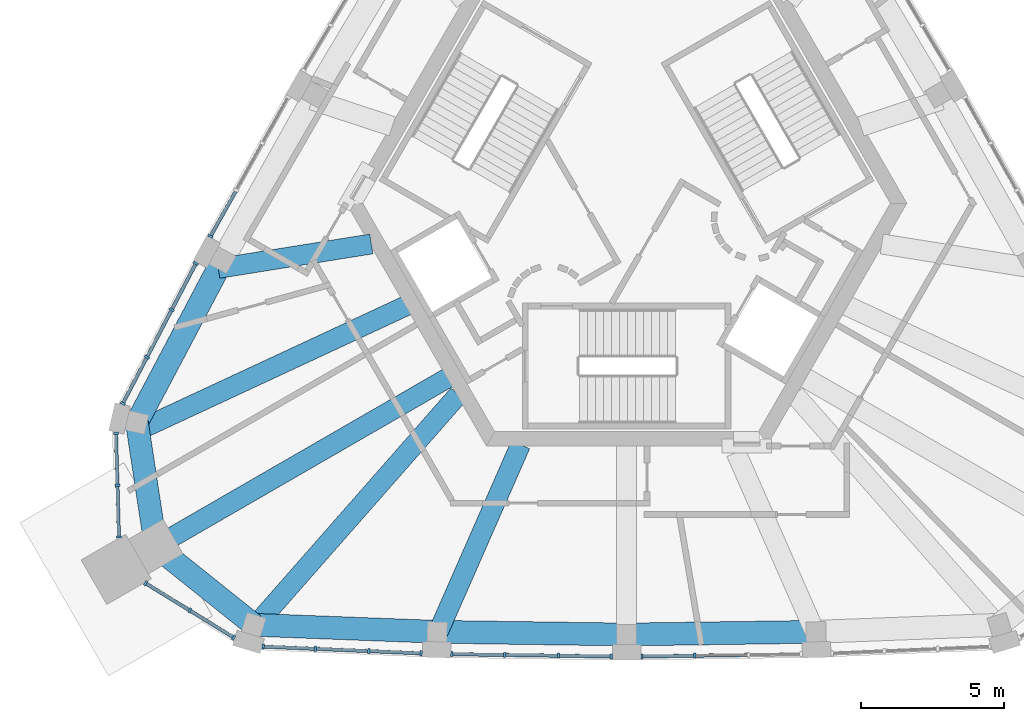
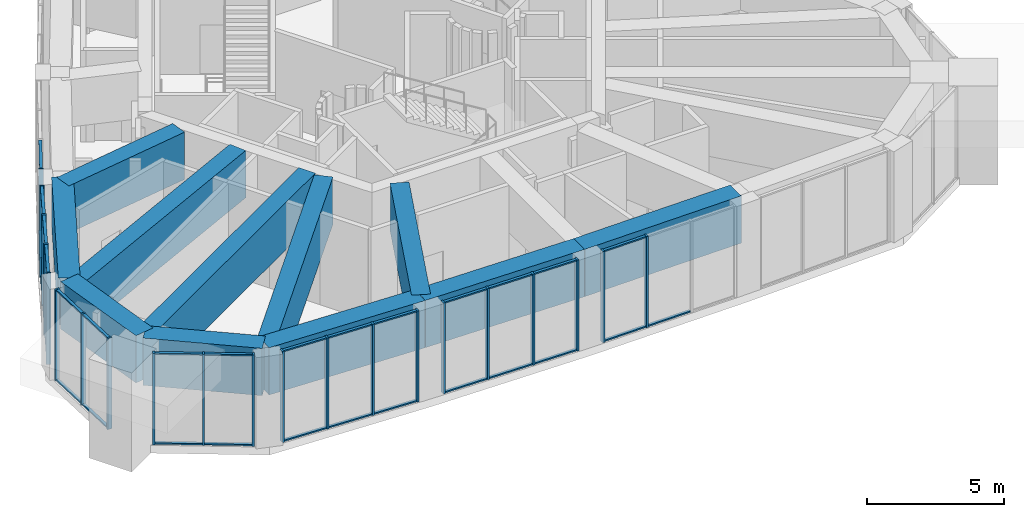
# One storey, part 2 of 11: 52 members, 11 beams, 7 elements without a shape of their own.
"""IFC4 building model written with IfcOpenShell, lengths in metres."""

from ifc_helpers import new_model, si_unit, direction, frame, origin, origin_2d, place, context, subcontext, project, spatial, rectangle, extrude, material, material_profile, profile_set, type_object, element, aggregate, save


model = new_model("IFC4")

# Units and contexts
model_context = context("Model", 3, precision=1e-05, world=origin(), true_north=direction((0.0, 1.0)))
body_context = subcontext(model_context, "Body", "Model", "MODEL_VIEW")
ifc_project = project(units=[si_unit("LENGTHUNIT", "METRE"), si_unit("AREAUNIT", "SQUARE_METRE"), si_unit("VOLUMEUNIT", "CUBIC_METRE"), si_unit("PLANEANGLEUNIT", "RADIAN"), si_unit("MASSUNIT", "GRAM", prefix="KILO")], contexts=[model_context])

# Site, building, storey
site_placement = place(None, origin())
site = spatial("IfcSite", under=ifc_project, at=site_placement, CompositionType="ELEMENT")
building_placement = place(site_placement, origin())
building = spatial("IfcBuilding", under=site, at=building_placement, Name="Entoto Arch Interchange Tower", CompositionType="ELEMENT")
storey_placement = place(building_placement, frame((0.0, 0.0, 353.89990234375)))
storey = spatial("IfcBuildingStorey", under=building, at=storey_placement, Name="L83", CompositionType="ELEMENT", Elevation=353.89990234375)

# Beams
ifc_material_1 = material(Name="Concrete C40/50", Category="concrete")
ifc_material_profile_1 = material_profile(ifc_material_1, rectangle(XDim=0.800048828125, YDim=2.10009765625, at=origin_2d()))
ifc_profile_set_1 = profile_set([ifc_material_profile_1], Name="Concrete C40/50")
beam_type_1 = type_object("IfcBeamType", Name="Crown ring girder RC 800x2100 C40/50", PredefinedType="BEAM", material=ifc_profile_set_1)
beam_1_placement = place(storey_placement, frame((-13.055908203125, -12.260986328125, 3.0), z_axis=(0.999272354884, -0.038141326198, 0.0), x_axis=(0.038141326198, 0.999272354884, 0.0)))
element("IfcBeam", 1, at=beam_1_placement, inside=storey, type_object=beam_type_1, Name="Crown ring girder 01 L83", PredefinedType="BEAM", context=body_context, shape_type="SweptSolid", body=[
    extrude(rectangle(XDim=0.800048828125, YDim=2.10009765625, at=origin_2d()), origin(), (0.0, 0.0, 1.0), 6.426513671875),
])
for number, where, z_axis, x_axis, name in (
    (2, (-6.634033203125, -12.506103515625, 3.0), (0.999899642253, -0.014167054144, 0.0), (0.014167054144, 0.999899642253, 0.0), "Crown ring girder 02 L83"),
    (3, (0.0, -12.60009765625, 3.0), (0.999899642253, 0.014167054144, 0.0), (-0.014167054144, 0.999899642253, 0.0), "Crown ring girder 03 L83"),
):
    element("IfcBeam", number, at=place(storey_placement, frame(where, z_axis=z_axis, x_axis=x_axis)), inside=storey, type_object=beam_type_1, Name=name, PredefinedType="BEAM", context=body_context, shape_type="SweptSolid", body=[
        extrude(rectangle(XDim=0.800048828125, YDim=2.10009765625, at=origin_2d()), origin(), (0.0, 0.0, 1.0), 6.634765625),
    ])
beam_2_placement = place(storey_placement, frame((-14.14892578125, 0.5048828125, 3.0), z_axis=(-0.46673302102, -0.884398262713, 0.0), x_axis=(0.884398262713, -0.46673302102, 0.0)))
element("IfcBeam", 4, at=beam_2_placement, inside=storey, type_object=beam_type_1, Name="Crown ring girder 16 L83", PredefinedType="BEAM", context=body_context, shape_type="SweptSolid", body=[
    extrude(rectangle(XDim=0.800048828125, YDim=2.10009765625, at=origin_2d()), origin(), (0.0, 0.0, 1.0), 6.423583984375),
])
beam_3_placement = place(storey_placement, frame((-17.14697265625, -5.176025390625, 3.0), z_axis=(0.150440816184, -0.988619017026, 0.0), x_axis=(0.988619017026, 0.150440816184, 0.0)))
element("IfcBeam", 5, at=beam_3_placement, inside=storey, type_object=beam_type_1, Name="Crown ring girder 17 L83", PredefinedType="BEAM", context=body_context, shape_type="SweptSolid", body=[
    extrude(rectangle(XDim=0.800048828125, YDim=2.10009765625, at=origin_2d()), origin(), (0.0, 0.0, 1.0), 4.39306640625),
])
beam_4_placement = place(storey_placement, frame((-16.486083984375, -9.51904296875, 3.0), z_axis=(0.781112826412, -0.624389904159, 0.0), x_axis=(0.624389904159, 0.781112826412, 0.0)))
element("IfcBeam", 6, at=beam_4_placement, inside=storey, type_object=beam_type_1, Name="Crown ring girder 18 L83", PredefinedType="BEAM", context=body_context, shape_type="SweptSolid", body=[
    extrude(rectangle(XDim=0.800048828125, YDim=2.10009765625, at=origin_2d()), origin(), (0.0, 0.0, 1.0), 4.391357421875),
])
ifc_material_profile_2 = material_profile(ifc_material_1, rectangle(XDim=0.699951171875, YDim=2.10009765625, at=origin_2d()))
ifc_profile_set_2 = profile_set([ifc_material_profile_2], Name="Concrete C40/50")
beam_type_2 = type_object("IfcBeamType", Name="Crown transfer beam RC 700x2100 C40/50", PredefinedType="BEAM", material=ifc_profile_set_2)
beam_5_placement = place(storey_placement, frame((-5.89111328125, -4.200927734375, 3.0), z_axis=(-0.660232030784, -0.751061692225, 0.0), x_axis=(0.751061692225, -0.660232030784, 0.0)))
element("IfcBeam", 7, at=beam_5_placement, inside=storey, type_object=beam_type_2, Name="Transfer beam S01 L83", PredefinedType="BEAM", context=body_context, shape_type="SweptSolid", body=[
    extrude(rectangle(XDim=0.699951171875, YDim=2.10009765625, at=origin_2d()), origin(), (0.0, 0.0, 1.0), 10.7353515625),
])
beam_6_placement = place(storey_placement, frame((-3.714111328125, -5.9541015625, 3.0), z_axis=(-0.402108641458, -0.915591961774, 0.0), x_axis=(0.915591961774, -0.402108641458, 0.0)))
element("IfcBeam", 8, at=beam_6_placement, inside=storey, type_object=beam_type_2, Name="Transfer beam S02 L83", PredefinedType="BEAM", context=body_context, shape_type="SweptSolid", body=[
    extrude(rectangle(XDim=0.699951171875, YDim=2.10009765625, at=origin_2d()), origin(), (0.0, 0.0, 1.0), 7.156982421875),
])
beam_7_placement = place(storey_placement, frame((-8.93798828125, 1.074951171875, 3.0), z_axis=(-0.987520764966, -0.157488852813, 0.0), x_axis=(0.157488852813, -0.987520764966, 0.0)))
element("IfcBeam", 9, at=beam_7_placement, inside=storey, type_object=beam_type_2, Name="Transfer beam NW04 L83", PredefinedType="BEAM", context=body_context, shape_type="SweptSolid", body=[
    extrude(rectangle(XDim=0.699951171875, YDim=2.10009765625, at=origin_2d()), origin(), (0.0, 0.0, 1.0), 5.4287109375),
])
beam_8_placement = place(storey_placement, frame((-7.69189453125, -1.076904296875, 3.0), z_axis=(-0.906721321021, -0.42173030008, 0.0), x_axis=(0.42173030008, -0.906721321021, 0.0)))
element("IfcBeam", 10, at=beam_8_placement, inside=storey, type_object=beam_type_2, Name="Transfer beam NW05 L83", PredefinedType="BEAM", context=body_context, shape_type="SweptSolid", body=[
    extrude(rectangle(XDim=0.699951171875, YDim=2.10009765625, at=origin_2d()), origin(), (0.0, 0.0, 1.0), 10.38134765625),
])
beam_9_placement = place(storey_placement, frame((-6.235107421875, -3.60009765625, 3.0), z_axis=(-0.866009679343, -0.500027234542, 0.0), x_axis=(0.500027234542, -0.866009679343, 0.0)))
element("IfcBeam", 11, at=beam_9_placement, inside=storey, type_object=beam_type_2, Name="Transfer beam SW1 L83", PredefinedType="BEAM", context=body_context, shape_type="SweptSolid", body=[
    extrude(rectangle(XDim=0.699951171875, YDim=2.10009765625, at=origin_2d()), origin(), (0.0, 0.0, 1.0), 11.487060546875),
])

# Curtain wall, members
ifc_material_2 = material(Name="Aluminium, anodised", Category="aluminium")
curtain_wall_type = type_object("IfcCurtainWallType", Name="CURTAIN WALL CROWN LANTERN", PredefinedType="NOTDEFINED", material=ifc_material_2)
curtain_wall_1_placement = place(storey_placement, origin())
curtain_wall_1 = element("IfcCurtainWall", 12, at=curtain_wall_1_placement, inside=storey, type_object=curtain_wall_type, Name="Crown Lantern glazing S-01 L83", PredefinedType="NOTDEFINED")
ifc_material_profile_3 = material_profile(ifc_material_2, rectangle(XDim=0.179931640625, YDim=0.080078125, at=origin_2d()))
ifc_profile_set_3 = profile_set([ifc_material_profile_3], Name="Aluminium, anodised")
member_type_1 = type_object("IfcMemberType", Name="MULLION CROWN LANTERN 80x180", PredefinedType="MULLION", material=ifc_profile_set_3)
member_1_placement = place(storey_placement, frame((-12.72705078125, -13.021728515625, 0.0), z_axis=(0.0, 0.0, 1.0), x_axis=(0.042726449388, 0.999086808302, 0.0)))
member_1 = element("IfcMember", 13, at=member_1_placement, type_object=member_type_1, Name="CWL mullion 1", PredefinedType="MULLION", context=body_context, shape_type="SweptSolid", body=[
    extrude(rectangle(XDim=0.179931640625, YDim=0.080078125, at=origin_2d()), origin(), (0.0, 0.0, 1.0), 4.050048828125),
])
member_2_placement = place(storey_placement, frame((-10.896240234375, -13.10009765625, 0.0), z_axis=(0.0, 0.0, 1.0), x_axis=(0.042726449388, 0.999086808302, 0.0)))
member_2 = element("IfcMember", 14, at=member_2_placement, type_object=member_type_1, Name="CWL mullion 2", PredefinedType="MULLION", context=body_context, shape_type="SweptSolid", body=[
    extrude(rectangle(XDim=0.179931640625, YDim=0.080078125, at=origin_2d()), origin(), (0.0, 0.0, 1.0), 4.050048828125),
])
member_3_placement = place(storey_placement, frame((-9.025634765625, -13.179931640625, 0.0), z_axis=(0.0, 0.0, 1.0), x_axis=(0.042726449388, 0.999086808302, 0.0)))
member_3 = element("IfcMember", 15, at=member_3_placement, type_object=member_type_1, Name="CWL mullion 3", PredefinedType="MULLION", context=body_context, shape_type="SweptSolid", body=[
    extrude(rectangle(XDim=0.179931640625, YDim=0.080078125, at=origin_2d()), origin(), (0.0, 0.0, 1.0), 4.050048828125),
])
member_4_placement = place(storey_placement, frame((-7.195068359375, -13.25830078125, 0.0), z_axis=(0.0, 0.0, 1.0), x_axis=(0.042726449388, 0.999086808302, 0.0)))
member_4 = element("IfcMember", 16, at=member_4_placement, type_object=member_type_1, Name="CWL mullion 4", PredefinedType="MULLION", context=body_context, shape_type="SweptSolid", body=[
    extrude(rectangle(XDim=0.179931640625, YDim=0.080078125, at=origin_2d()), origin(), (0.0, 0.0, 1.0), 4.050048828125),
])

curtain_wall_2_placement = place(storey_placement, origin())
curtain_wall_2 = element("IfcCurtainWall", 17, at=curtain_wall_2_placement, inside=storey, type_object=curtain_wall_type, Name="Crown Lantern glazing S-02 L83", PredefinedType="NOTDEFINED")
member_5_placement = place(storey_placement, frame((-6.116943359375, -13.28857421875, 0.0), z_axis=(0.0, 0.0, 1.0), x_axis=(0.014137858678, 0.999900055482, 0.0)))
member_5 = element("IfcMember", 18, at=member_5_placement, type_object=member_type_1, Name="CWL mullion 1", PredefinedType="MULLION", context=body_context, shape_type="SweptSolid", body=[
    extrude(rectangle(XDim=0.179931640625, YDim=0.080078125, at=origin_2d()), origin(), (0.0, 0.0, 1.0), 4.050048828125),
])
member_6_placement = place(storey_placement, frame((-4.27099609375, -13.314697265625, 0.0), z_axis=(0.0, 0.0, 1.0), x_axis=(0.014137858678, 0.999900055482, 0.0)))
member_6 = element("IfcMember", 19, at=member_6_placement, type_object=member_type_1, Name="CWL mullion 2", PredefinedType="MULLION", context=body_context, shape_type="SweptSolid", body=[
    extrude(rectangle(XDim=0.179931640625, YDim=0.080078125, at=origin_2d()), origin(), (0.0, 0.0, 1.0), 4.050048828125),
])
member_7_placement = place(storey_placement, frame((-2.385009765625, -13.34130859375, 0.0), z_axis=(0.0, 0.0, 1.0), x_axis=(0.014137858678, 0.999900055482, 0.0)))
member_7 = element("IfcMember", 20, at=member_7_placement, type_object=member_type_1, Name="CWL mullion 3", PredefinedType="MULLION", context=body_context, shape_type="SweptSolid", body=[
    extrude(rectangle(XDim=0.179931640625, YDim=0.080078125, at=origin_2d()), origin(), (0.0, 0.0, 1.0), 4.050048828125),
])
member_8_placement = place(storey_placement, frame((-0.5390625, -13.367431640625, 0.0), z_axis=(0.0, 0.0, 1.0), x_axis=(0.014137858678, 0.999900055482, 0.0)))
member_8 = element("IfcMember", 21, at=member_8_placement, type_object=member_type_1, Name="CWL mullion 4", PredefinedType="MULLION", context=body_context, shape_type="SweptSolid", body=[
    extrude(rectangle(XDim=0.179931640625, YDim=0.080078125, at=origin_2d()), origin(), (0.0, 0.0, 1.0), 4.050048828125),
])

curtain_wall_3_placement = place(storey_placement, origin())
curtain_wall_3 = element("IfcCurtainWall", 22, at=curtain_wall_3_placement, inside=storey, type_object=curtain_wall_type, Name="Crown Lantern glazing S-03 L83", PredefinedType="NOTDEFINED")
member_9_placement = place(storey_placement, frame((0.5390625, -13.367431640625, 0.0), z_axis=(0.0, 0.0, 1.0), x_axis=(-0.014137858678, 0.999900055482, 0.0)))
member_9 = element("IfcMember", 23, at=member_9_placement, type_object=member_type_1, Name="CWL mullion 1", PredefinedType="MULLION", context=body_context, shape_type="SweptSolid", body=[
    extrude(rectangle(XDim=0.179931640625, YDim=0.080078125, at=origin_2d()), origin(), (0.0, 0.0, 1.0), 4.050048828125),
])
member_10_placement = place(storey_placement, frame((2.385009765625, -13.34130859375, 0.0), z_axis=(0.0, 0.0, 1.0), x_axis=(-0.014137858678, 0.999900055482, 0.0)))
member_10 = element("IfcMember", 24, at=member_10_placement, type_object=member_type_1, Name="CWL mullion 2", PredefinedType="MULLION", context=body_context, shape_type="SweptSolid", body=[
    extrude(rectangle(XDim=0.179931640625, YDim=0.080078125, at=origin_2d()), origin(), (0.0, 0.0, 1.0), 4.050048828125),
])

# Curtain wall, member
curtain_wall_4_placement = place(storey_placement, origin())
curtain_wall_4 = element("IfcCurtainWall", 25, at=curtain_wall_4_placement, inside=storey, type_object=curtain_wall_type, Name="Crown Lantern glazing NW-03 L83", PredefinedType="NOTDEFINED")
member_11_placement = place(storey_placement, frame((-14.568603515625, 1.343994140625, 0.0), z_axis=(0.0, 0.0, 1.0), x_axis=(0.872963388875, -0.487785733375, 0.0)))
member_11 = element("IfcMember", 26, at=member_11_placement, type_object=member_type_1, Name="CWL mullion 4", PredefinedType="MULLION", context=body_context, shape_type="SweptSolid", body=[
    extrude(rectangle(XDim=0.179931640625, YDim=0.080078125, at=origin_2d()), origin(), (0.0, 0.0, 1.0), 4.050048828125),
])

# Curtain wall, members
curtain_wall_5_placement = place(storey_placement, origin())
curtain_wall_5 = element("IfcCurtainWall", 27, at=curtain_wall_5_placement, inside=storey, type_object=curtain_wall_type, Name="Crown Lantern glazing NW-04 L83", PredefinedType="NOTDEFINED")
member_12_placement = place(storey_placement, frame((-15.08056640625, 0.3955078125, 0.0), z_axis=(0.0, 0.0, 1.0), x_axis=(0.886489549186, -0.462748613378, 0.0)))
member_12 = element("IfcMember", 28, at=member_12_placement, type_object=member_type_1, Name="CWL mullion 1", PredefinedType="MULLION", context=body_context, shape_type="SweptSolid", body=[
    extrude(rectangle(XDim=0.179931640625, YDim=0.080078125, at=origin_2d()), origin(), (0.0, 0.0, 1.0), 4.050048828125),
])
member_13_placement = place(storey_placement, frame((-15.927978515625, -1.22802734375, 0.0), z_axis=(0.0, 0.0, 1.0), x_axis=(0.886489549186, -0.462748613378, 0.0)))
member_13 = element("IfcMember", 29, at=member_13_placement, type_object=member_type_1, Name="CWL mullion 2", PredefinedType="MULLION", context=body_context, shape_type="SweptSolid", body=[
    extrude(rectangle(XDim=0.179931640625, YDim=0.080078125, at=origin_2d()), origin(), (0.0, 0.0, 1.0), 4.050048828125),
])
member_14_placement = place(storey_placement, frame((-16.7939453125, -2.886962890625, 0.0), z_axis=(0.0, 0.0, 1.0), x_axis=(0.886489549186, -0.462748613378, 0.0)))
member_14 = element("IfcMember", 30, at=member_14_placement, type_object=member_type_1, Name="CWL mullion 3", PredefinedType="MULLION", context=body_context, shape_type="SweptSolid", body=[
    extrude(rectangle(XDim=0.179931640625, YDim=0.080078125, at=origin_2d()), origin(), (0.0, 0.0, 1.0), 4.050048828125),
])
member_15_placement = place(storey_placement, frame((-17.6416015625, -4.510498046875, 0.0), z_axis=(0.0, 0.0, 1.0), x_axis=(0.886489549186, -0.462748613378, 0.0)))
member_15 = element("IfcMember", 31, at=member_15_placement, type_object=member_type_1, Name="CWL mullion 4", PredefinedType="MULLION", context=body_context, shape_type="SweptSolid", body=[
    extrude(rectangle(XDim=0.179931640625, YDim=0.080078125, at=origin_2d()), origin(), (0.0, 0.0, 1.0), 4.050048828125),
])

curtain_wall_6_placement = place(storey_placement, origin())
curtain_wall_6 = element("IfcCurtainWall", 32, at=curtain_wall_6_placement, inside=storey, type_object=curtain_wall_type, Name="Crown Lantern glazing SW-01 L83", PredefinedType="NOTDEFINED")
member_16_placement = place(storey_placement, frame((-17.8818359375, -5.55810546875, 0.0), z_axis=(0.0, 0.0, 1.0), x_axis=(0.99959952631, 0.028298180179, 0.0)))
member_16 = element("IfcMember", 33, at=member_16_placement, type_object=member_type_1, Name="CWL mullion 1", PredefinedType="MULLION", context=body_context, shape_type="SweptSolid", body=[
    extrude(rectangle(XDim=0.179931640625, YDim=0.080078125, at=origin_2d()), origin(), (0.0, 0.0, 1.0), 4.050048828125),
])
member_17_placement = place(storey_placement, frame((-17.83056640625, -7.37255859375, 0.0), z_axis=(0.0, 0.0, 1.0), x_axis=(0.99959952631, 0.028298180179, 0.0)))
member_17 = element("IfcMember", 34, at=member_17_placement, type_object=member_type_1, Name="CWL mullion 2", PredefinedType="MULLION", context=body_context, shape_type="SweptSolid", body=[
    extrude(rectangle(XDim=0.179931640625, YDim=0.080078125, at=origin_2d()), origin(), (0.0, 0.0, 1.0), 4.050048828125),
])
member_18_placement = place(storey_placement, frame((-17.779052734375, -9.18701171875, 0.0), z_axis=(0.0, 0.0, 1.0), x_axis=(0.99959952631, 0.028298180179, 0.0)))
member_18 = element("IfcMember", 35, at=member_18_placement, type_object=member_type_1, Name="CWL mullion 3", PredefinedType="MULLION", context=body_context, shape_type="SweptSolid", body=[
    extrude(rectangle(XDim=0.179931640625, YDim=0.080078125, at=origin_2d()), origin(), (0.0, 0.0, 1.0), 4.050048828125),
])

curtain_wall_7_placement = place(storey_placement, origin())
curtain_wall_7 = element("IfcCurtainWall", 36, at=curtain_wall_7_placement, inside=storey, type_object=curtain_wall_type, Name="Crown Lantern glazing SW-02 L83", PredefinedType="NOTDEFINED")
member_19_placement = place(storey_placement, frame((-16.844970703125, -10.804931640625, 0.0), z_axis=(0.0, 0.0, 1.0), x_axis=(0.524217783401, 0.851584238679, 0.0)))
member_19 = element("IfcMember", 37, at=member_19_placement, type_object=member_type_1, Name="CWL mullion 1", PredefinedType="MULLION", context=body_context, shape_type="SweptSolid", body=[
    extrude(rectangle(XDim=0.179931640625, YDim=0.080078125, at=origin_2d()), origin(), (0.0, 0.0, 1.0), 4.050048828125),
])
member_20_placement = place(storey_placement, frame((-15.300048828125, -11.756103515625, 0.0), z_axis=(0.0, 0.0, 1.0), x_axis=(0.524217783401, 0.851584238679, 0.0)))
member_20 = element("IfcMember", 38, at=member_20_placement, type_object=member_type_1, Name="CWL mullion 2", PredefinedType="MULLION", context=body_context, shape_type="SweptSolid", body=[
    extrude(rectangle(XDim=0.179931640625, YDim=0.080078125, at=origin_2d()), origin(), (0.0, 0.0, 1.0), 4.050048828125),
])
member_21_placement = place(storey_placement, frame((-13.755126953125, -12.70703125, 0.0), z_axis=(0.0, 0.0, 1.0), x_axis=(0.524217783401, 0.851584238679, 0.0)))
member_21 = element("IfcMember", 39, at=member_21_placement, type_object=member_type_1, Name="CWL mullion 3", PredefinedType="MULLION", context=body_context, shape_type="SweptSolid", body=[
    extrude(rectangle(XDim=0.179931640625, YDim=0.080078125, at=origin_2d()), origin(), (0.0, 0.0, 1.0), 4.050048828125),
])

# Member
ifc_material_profile_4 = material_profile(ifc_material_2, rectangle(XDim=0.1201171875, YDim=0.06005859375, at=origin_2d()))
ifc_profile_set_4 = profile_set([ifc_material_profile_4], Name="Aluminium, anodised")
member_type_2 = type_object("IfcMemberType", Name="TRANSOM CROWN LANTERN 60x120", PredefinedType="USERDEFINED", material=ifc_profile_set_4)
member_22_placement = place(storey_placement, frame((-12.68701171875, -13.0234375, 0.030029296875), z_axis=(0.99908485307, -0.042772144735, 0.0), x_axis=(0.042772144735, 0.99908485307, 0.0)))
member_22 = element("IfcMember", 40, at=member_22_placement, type_object=member_type_2, Name="CWL transom 1.1", ObjectType="TRANSOM", PredefinedType="USERDEFINED", context=body_context, shape_type="SweptSolid", body=[
    extrude(rectangle(XDim=0.1201171875, YDim=0.06005859375, at=origin_2d()), origin(), (0.0, 0.0, 1.0), 1.75244140625),
])

member_23_placement = place(storey_placement, frame((-12.68701171875, -13.0234375, 4.02001953125), z_axis=(0.99908485307, -0.042772144735, 0.0), x_axis=(0.042772144735, 0.99908485307, 0.0)))
member_23 = element("IfcMember", 41, at=member_23_placement, type_object=member_type_2, Name="CWL transom 1.2", ObjectType="TRANSOM", PredefinedType="USERDEFINED", context=body_context, shape_type="SweptSolid", body=[
    extrude(rectangle(XDim=0.1201171875, YDim=0.06005859375, at=origin_2d()), origin(), (0.0, 0.0, 1.0), 1.75244140625),
])

member_24_placement = place(storey_placement, frame((-10.8564453125, -13.101806640625, 0.030029296875), z_axis=(0.999090786597, -0.042633321909, 0.0), x_axis=(0.042633321909, 0.999090786597, 0.0)))
member_24 = element("IfcMember", 42, at=member_24_placement, type_object=member_type_2, Name="CWL transom 2.1", ObjectType="TRANSOM", PredefinedType="USERDEFINED", context=body_context, shape_type="SweptSolid", body=[
    extrude(rectangle(XDim=0.1201171875, YDim=0.06005859375, at=origin_2d()), origin(), (0.0, 0.0, 1.0), 1.79248046875),
])

member_25_placement = place(storey_placement, frame((-10.8564453125, -13.101806640625, 4.02001953125), z_axis=(0.999090786597, -0.042633321909, 0.0), x_axis=(0.042633321909, 0.999090786597, 0.0)))
member_25 = element("IfcMember", 43, at=member_25_placement, type_object=member_type_2, Name="CWL transom 2.2", ObjectType="TRANSOM", PredefinedType="USERDEFINED", context=body_context, shape_type="SweptSolid", body=[
    extrude(rectangle(XDim=0.1201171875, YDim=0.06005859375, at=origin_2d()), origin(), (0.0, 0.0, 1.0), 1.79248046875),
])

member_26_placement = place(storey_placement, frame((-8.985595703125, -13.181640625, 0.030029296875), z_axis=(0.99908485307, -0.042772144735, 0.0), x_axis=(0.042772144735, 0.99908485307, 0.0)))
member_26 = element("IfcMember", 44, at=member_26_placement, type_object=member_type_2, Name="CWL transom 3.1", ObjectType="TRANSOM", PredefinedType="USERDEFINED", context=body_context, shape_type="SweptSolid", body=[
    extrude(rectangle(XDim=0.1201171875, YDim=0.06005859375, at=origin_2d()), origin(), (0.0, 0.0, 1.0), 1.75244140625),
])

member_27_placement = place(storey_placement, frame((-8.985595703125, -13.181640625, 4.02001953125), z_axis=(0.99908485307, -0.042772144735, 0.0), x_axis=(0.042772144735, 0.99908485307, 0.0)))
member_27 = element("IfcMember", 45, at=member_27_placement, type_object=member_type_2, Name="CWL transom 3.2", ObjectType="TRANSOM", PredefinedType="USERDEFINED", context=body_context, shape_type="SweptSolid", body=[
    extrude(rectangle(XDim=0.1201171875, YDim=0.06005859375, at=origin_2d()), origin(), (0.0, 0.0, 1.0), 1.75244140625),
])

aggregate(curtain_wall_1, [member_1, member_2, member_3, member_4, member_22, member_23, member_24, member_25, member_26, member_27])

member_28_placement = place(storey_placement, frame((-6.076904296875, -13.2890625, 0.030029296875), z_axis=(0.999898622523, -0.014238843926, 0.0), x_axis=(0.014238843926, 0.999898622523, 0.0)))
member_28 = element("IfcMember", 46, at=member_28_placement, type_object=member_type_2, Name="CWL transom 1.1", ObjectType="TRANSOM", PredefinedType="USERDEFINED", context=body_context, shape_type="SweptSolid", body=[
    extrude(rectangle(XDim=0.1201171875, YDim=0.06005859375, at=origin_2d()), origin(), (0.0, 0.0, 1.0), 1.76611328125),
])

member_29_placement = place(storey_placement, frame((-6.076904296875, -13.2890625, 4.02001953125), z_axis=(0.999898622523, -0.014238843926, 0.0), x_axis=(0.014238843926, 0.999898622523, 0.0)))
member_29 = element("IfcMember", 47, at=member_29_placement, type_object=member_type_2, Name="CWL transom 1.2", ObjectType="TRANSOM", PredefinedType="USERDEFINED", context=body_context, shape_type="SweptSolid", body=[
    extrude(rectangle(XDim=0.1201171875, YDim=0.06005859375, at=origin_2d()), origin(), (0.0, 0.0, 1.0), 1.76611328125),
])

member_30_placement = place(storey_placement, frame((-4.23095703125, -13.315185546875, 0.030029296875), z_axis=(0.999899267007, -0.014193513997, 0.0), x_axis=(0.014193513997, 0.999899267007, 0.0)))
member_30 = element("IfcMember", 48, at=member_30_placement, type_object=member_type_2, Name="CWL transom 2.1", ObjectType="TRANSOM", PredefinedType="USERDEFINED", context=body_context, shape_type="SweptSolid", body=[
    extrude(rectangle(XDim=0.1201171875, YDim=0.06005859375, at=origin_2d()), origin(), (0.0, 0.0, 1.0), 1.80615234375),
])

member_31_placement = place(storey_placement, frame((-4.23095703125, -13.315185546875, 4.02001953125), z_axis=(0.999899267007, -0.014193513997, 0.0), x_axis=(0.014193513997, 0.999899267007, 0.0)))
member_31 = element("IfcMember", 49, at=member_31_placement, type_object=member_type_2, Name="CWL transom 2.2", ObjectType="TRANSOM", PredefinedType="USERDEFINED", context=body_context, shape_type="SweptSolid", body=[
    extrude(rectangle(XDim=0.1201171875, YDim=0.06005859375, at=origin_2d()), origin(), (0.0, 0.0, 1.0), 1.80615234375),
])

member_32_placement = place(storey_placement, frame((-2.344970703125, -13.341796875, 0.030029296875), z_axis=(0.999898622523, -0.014238843926, 0.0), x_axis=(0.014238843926, 0.999898622523, 0.0)))
member_32 = element("IfcMember", 50, at=member_32_placement, type_object=member_type_2, Name="CWL transom 3.1", ObjectType="TRANSOM", PredefinedType="USERDEFINED", context=body_context, shape_type="SweptSolid", body=[
    extrude(rectangle(XDim=0.1201171875, YDim=0.06005859375, at=origin_2d()), origin(), (0.0, 0.0, 1.0), 1.76611328125),
])

member_33_placement = place(storey_placement, frame((-2.344970703125, -13.341796875, 4.02001953125), z_axis=(0.999898622523, -0.014238843926, 0.0), x_axis=(0.014238843926, 0.999898622523, 0.0)))
member_33 = element("IfcMember", 51, at=member_33_placement, type_object=member_type_2, Name="CWL transom 3.2", ObjectType="TRANSOM", PredefinedType="USERDEFINED", context=body_context, shape_type="SweptSolid", body=[
    extrude(rectangle(XDim=0.1201171875, YDim=0.06005859375, at=origin_2d()), origin(), (0.0, 0.0, 1.0), 1.76611328125),
])

aggregate(curtain_wall_2, [member_5, member_6, member_7, member_8, member_28, member_29, member_30, member_31, member_32, member_33])

member_34_placement = place(storey_placement, frame((0.5791015625, -13.366943359375, 0.030029296875), z_axis=(0.999898622523, 0.014238843926, 0.0), x_axis=(-0.014238843926, 0.999898622523, 0.0)))
member_34 = element("IfcMember", 52, at=member_34_placement, type_object=member_type_2, Name="CWL transom 1.1", ObjectType="TRANSOM", PredefinedType="USERDEFINED", context=body_context, shape_type="SweptSolid", body=[
    extrude(rectangle(XDim=0.1201171875, YDim=0.06005859375, at=origin_2d()), origin(), (0.0, 0.0, 1.0), 1.76611328125),
])

member_35_placement = place(storey_placement, frame((0.5791015625, -13.366943359375, 4.02001953125), z_axis=(0.999898622523, 0.014238843926, 0.0), x_axis=(-0.014238843926, 0.999898622523, 0.0)))
member_35 = element("IfcMember", 53, at=member_35_placement, type_object=member_type_2, Name="CWL transom 1.2", ObjectType="TRANSOM", PredefinedType="USERDEFINED", context=body_context, shape_type="SweptSolid", body=[
    extrude(rectangle(XDim=0.1201171875, YDim=0.06005859375, at=origin_2d()), origin(), (0.0, 0.0, 1.0), 1.76611328125),
])

member_36_placement = place(storey_placement, frame((2.425048828125, -13.3408203125, 0.030029296875), z_axis=(0.999899267007, 0.014193513997, 0.0), x_axis=(-0.014193513997, 0.999899267007, 0.0)))
member_36 = element("IfcMember", 54, at=member_36_placement, type_object=member_type_2, Name="CWL transom 2.1", ObjectType="TRANSOM", PredefinedType="USERDEFINED", context=body_context, shape_type="SweptSolid", body=[
    extrude(rectangle(XDim=0.1201171875, YDim=0.06005859375, at=origin_2d()), origin(), (0.0, 0.0, 1.0), 1.80615234375),
])

aggregate(curtain_wall_3, [member_9, member_10, member_34, member_35, member_36])

member_37_placement = place(storey_placement, frame((-13.686767578125, 2.921630859375, 0.030029296875), z_axis=(-0.487904948759, -0.872896764215, 0.0), x_axis=(0.872896764215, -0.487904948759, 0.0)))
member_37 = element("IfcMember", 55, at=member_37_placement, type_object=member_type_2, Name="CWL transom 3.1", ObjectType="TRANSOM", PredefinedType="USERDEFINED", context=body_context, shape_type="SweptSolid", body=[
    extrude(rectangle(XDim=0.1201171875, YDim=0.06005859375, at=origin_2d()), origin(), (0.0, 0.0, 1.0), 1.767333984375),
])

member_38_placement = place(storey_placement, frame((-13.686767578125, 2.921630859375, 4.02001953125), z_axis=(-0.487904948759, -0.872896764215, 0.0), x_axis=(0.872896764215, -0.487904948759, 0.0)))
member_38 = element("IfcMember", 56, at=member_38_placement, type_object=member_type_2, Name="CWL transom 3.2", ObjectType="TRANSOM", PredefinedType="USERDEFINED", context=body_context, shape_type="SweptSolid", body=[
    extrude(rectangle(XDim=0.1201171875, YDim=0.06005859375, at=origin_2d()), origin(), (0.0, 0.0, 1.0), 1.767333984375),
])

aggregate(curtain_wall_4, [member_11, member_37, member_38])

member_39_placement = place(storey_placement, frame((-15.09912109375, 0.360107421875, 0.030029296875), z_axis=(-0.46264698969, -0.886542589463, 0.0), x_axis=(0.886542589463, -0.46264698969, 0.0)))
member_39 = element("IfcMember", 57, at=member_39_placement, type_object=member_type_2, Name="CWL transom 1.1", ObjectType="TRANSOM", PredefinedType="USERDEFINED", context=body_context, shape_type="SweptSolid", body=[
    extrude(rectangle(XDim=0.1201171875, YDim=0.06005859375, at=origin_2d()), origin(), (0.0, 0.0, 1.0), 1.75146484375),
])

member_40_placement = place(storey_placement, frame((-15.09912109375, 0.360107421875, 4.02001953125), z_axis=(-0.46264698969, -0.886542589463, 0.0), x_axis=(0.886542589463, -0.46264698969, 0.0)))
member_40 = element("IfcMember", 58, at=member_40_placement, type_object=member_type_2, Name="CWL transom 1.2", ObjectType="TRANSOM", PredefinedType="USERDEFINED", context=body_context, shape_type="SweptSolid", body=[
    extrude(rectangle(XDim=0.1201171875, YDim=0.06005859375, at=origin_2d()), origin(), (0.0, 0.0, 1.0), 1.75146484375),
])

member_41_placement = place(storey_placement, frame((-15.946533203125, -1.263427734375, 0.030029296875), z_axis=(-0.46268244105, -0.886524088079, 0.0), x_axis=(0.886524088079, -0.46268244105, 0.0)))
member_41 = element("IfcMember", 59, at=member_41_placement, type_object=member_type_2, Name="CWL transom 2.1", ObjectType="TRANSOM", PredefinedType="USERDEFINED", context=body_context, shape_type="SweptSolid", body=[
    extrude(rectangle(XDim=0.1201171875, YDim=0.06005859375, at=origin_2d()), origin(), (0.0, 0.0, 1.0), 1.79150390625),
])

member_42_placement = place(storey_placement, frame((-15.946533203125, -1.263427734375, 4.02001953125), z_axis=(-0.46268244105, -0.886524088079, 0.0), x_axis=(0.886524088079, -0.46268244105, 0.0)))
member_42 = element("IfcMember", 60, at=member_42_placement, type_object=member_type_2, Name="CWL transom 2.2", ObjectType="TRANSOM", PredefinedType="USERDEFINED", context=body_context, shape_type="SweptSolid", body=[
    extrude(rectangle(XDim=0.1201171875, YDim=0.06005859375, at=origin_2d()), origin(), (0.0, 0.0, 1.0), 1.79150390625),
])

member_43_placement = place(storey_placement, frame((-16.8125, -2.92236328125, 0.030029296875), z_axis=(-0.462756536486, -0.886485413269, 0.0), x_axis=(0.886485413269, -0.462756536486, 0.0)))
member_43 = element("IfcMember", 61, at=member_43_placement, type_object=member_type_2, Name="CWL transom 3.1", ObjectType="TRANSOM", PredefinedType="USERDEFINED", context=body_context, shape_type="SweptSolid", body=[
    extrude(rectangle(XDim=0.1201171875, YDim=0.06005859375, at=origin_2d()), origin(), (0.0, 0.0, 1.0), 1.75146484375),
])

member_44_placement = place(storey_placement, frame((-16.8125, -2.92236328125, 4.02001953125), z_axis=(-0.462756536486, -0.886485413269, 0.0), x_axis=(0.886485413269, -0.462756536486, 0.0)))
member_44 = element("IfcMember", 62, at=member_44_placement, type_object=member_type_2, Name="CWL transom 3.2", ObjectType="TRANSOM", PredefinedType="USERDEFINED", context=body_context, shape_type="SweptSolid", body=[
    extrude(rectangle(XDim=0.1201171875, YDim=0.06005859375, at=origin_2d()), origin(), (0.0, 0.0, 1.0), 1.75146484375),
])

aggregate(curtain_wall_5, [member_12, member_13, member_14, member_15, member_39, member_40, member_41, member_42, member_43, member_44])

member_45_placement = place(storey_placement, frame((-17.880615234375, -5.597900390625, 0.030029296875), z_axis=(0.028278622946, -0.999600079774, 0.0), x_axis=(0.999600079774, 0.028278622946, 0.0)))
member_45 = element("IfcMember", 63, at=member_45_placement, type_object=member_type_2, Name="CWL transom 1.1", ObjectType="TRANSOM", PredefinedType="USERDEFINED", context=body_context, shape_type="SweptSolid", body=[
    extrude(rectangle(XDim=0.1201171875, YDim=0.06005859375, at=origin_2d()), origin(), (0.0, 0.0, 1.0), 1.7353515625),
])

member_46_placement = place(storey_placement, frame((-17.880615234375, -5.597900390625, 4.02001953125), z_axis=(0.028278622946, -0.999600079774, 0.0), x_axis=(0.999600079774, 0.028278622946, 0.0)))
member_46 = element("IfcMember", 64, at=member_46_placement, type_object=member_type_2, Name="CWL transom 1.2", ObjectType="TRANSOM", PredefinedType="USERDEFINED", context=body_context, shape_type="SweptSolid", body=[
    extrude(rectangle(XDim=0.1201171875, YDim=0.06005859375, at=origin_2d()), origin(), (0.0, 0.0, 1.0), 1.7353515625),
])

member_47_placement = place(storey_placement, frame((-17.829345703125, -7.41259765625, 0.030029296875), z_axis=(0.028282600425, -0.999599967244, 0.0), x_axis=(0.999599967244, 0.028282600425, 0.0)))
member_47 = element("IfcMember", 65, at=member_47_placement, type_object=member_type_2, Name="CWL transom 2.1", ObjectType="TRANSOM", PredefinedType="USERDEFINED", context=body_context, shape_type="SweptSolid", body=[
    extrude(rectangle(XDim=0.1201171875, YDim=0.06005859375, at=origin_2d()), origin(), (0.0, 0.0, 1.0), 1.735107421875),
])

member_48_placement = place(storey_placement, frame((-17.829345703125, -7.41259765625, 4.02001953125), z_axis=(0.028282600425, -0.999599967244, 0.0), x_axis=(0.999599967244, 0.028282600425, 0.0)))
member_48 = element("IfcMember", 66, at=member_48_placement, type_object=member_type_2, Name="CWL transom 2.2", ObjectType="TRANSOM", PredefinedType="USERDEFINED", context=body_context, shape_type="SweptSolid", body=[
    extrude(rectangle(XDim=0.1201171875, YDim=0.06005859375, at=origin_2d()), origin(), (0.0, 0.0, 1.0), 1.735107421875),
])

aggregate(curtain_wall_6, [member_16, member_17, member_18, member_45, member_46, member_47, member_48])

member_49_placement = place(storey_placement, frame((-16.810791015625, -10.825927734375, 0.030029296875), z_axis=(0.851561631139, -0.524254507251, 0.0), x_axis=(0.524254507251, 0.851561631139, 0.0)))
member_49 = element("IfcMember", 67, at=member_49_placement, type_object=member_type_2, Name="CWL transom 1.1", ObjectType="TRANSOM", PredefinedType="USERDEFINED", context=body_context, shape_type="SweptSolid", body=[
    extrude(rectangle(XDim=0.1201171875, YDim=0.06005859375, at=origin_2d()), origin(), (0.0, 0.0, 1.0), 1.734130859375),
])

member_50_placement = place(storey_placement, frame((-16.810791015625, -10.825927734375, 4.02001953125), z_axis=(0.851561631139, -0.524254507251, 0.0), x_axis=(0.524254507251, 0.851561631139, 0.0)))
member_50 = element("IfcMember", 68, at=member_50_placement, type_object=member_type_2, Name="CWL transom 1.2", ObjectType="TRANSOM", PredefinedType="USERDEFINED", context=body_context, shape_type="SweptSolid", body=[
    extrude(rectangle(XDim=0.1201171875, YDim=0.06005859375, at=origin_2d()), origin(), (0.0, 0.0, 1.0), 1.734130859375),
])

member_51_placement = place(storey_placement, frame((-15.265869140625, -11.77685546875, 0.030029296875), z_axis=(0.851561631139, -0.524254507251, 0.0), x_axis=(0.524254507251, 0.851561631139, 0.0)))
member_51 = element("IfcMember", 69, at=member_51_placement, type_object=member_type_2, Name="CWL transom 2.1", ObjectType="TRANSOM", PredefinedType="USERDEFINED", context=body_context, shape_type="SweptSolid", body=[
    extrude(rectangle(XDim=0.1201171875, YDim=0.06005859375, at=origin_2d()), origin(), (0.0, 0.0, 1.0), 1.734130859375),
])

member_52_placement = place(storey_placement, frame((-15.265869140625, -11.77685546875, 4.02001953125), z_axis=(0.851561631139, -0.524254507251, 0.0), x_axis=(0.524254507251, 0.851561631139, 0.0)))
member_52 = element("IfcMember", 70, at=member_52_placement, type_object=member_type_2, Name="CWL transom 2.2", ObjectType="TRANSOM", PredefinedType="USERDEFINED", context=body_context, shape_type="SweptSolid", body=[
    extrude(rectangle(XDim=0.1201171875, YDim=0.06005859375, at=origin_2d()), origin(), (0.0, 0.0, 1.0), 1.734130859375),
])

aggregate(curtain_wall_7, [member_19, member_20, member_21, member_49, member_50, member_51, member_52])

save(model, "model.ifc")
